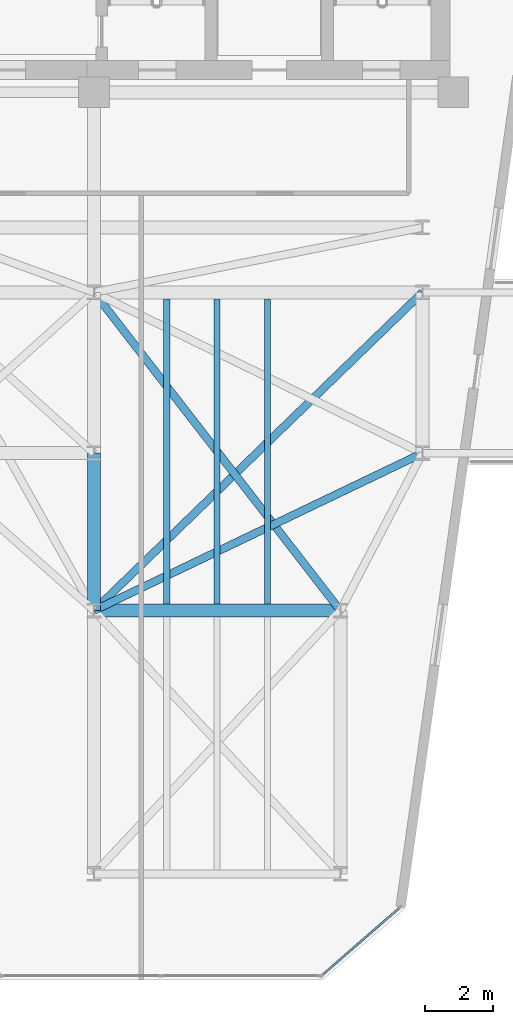
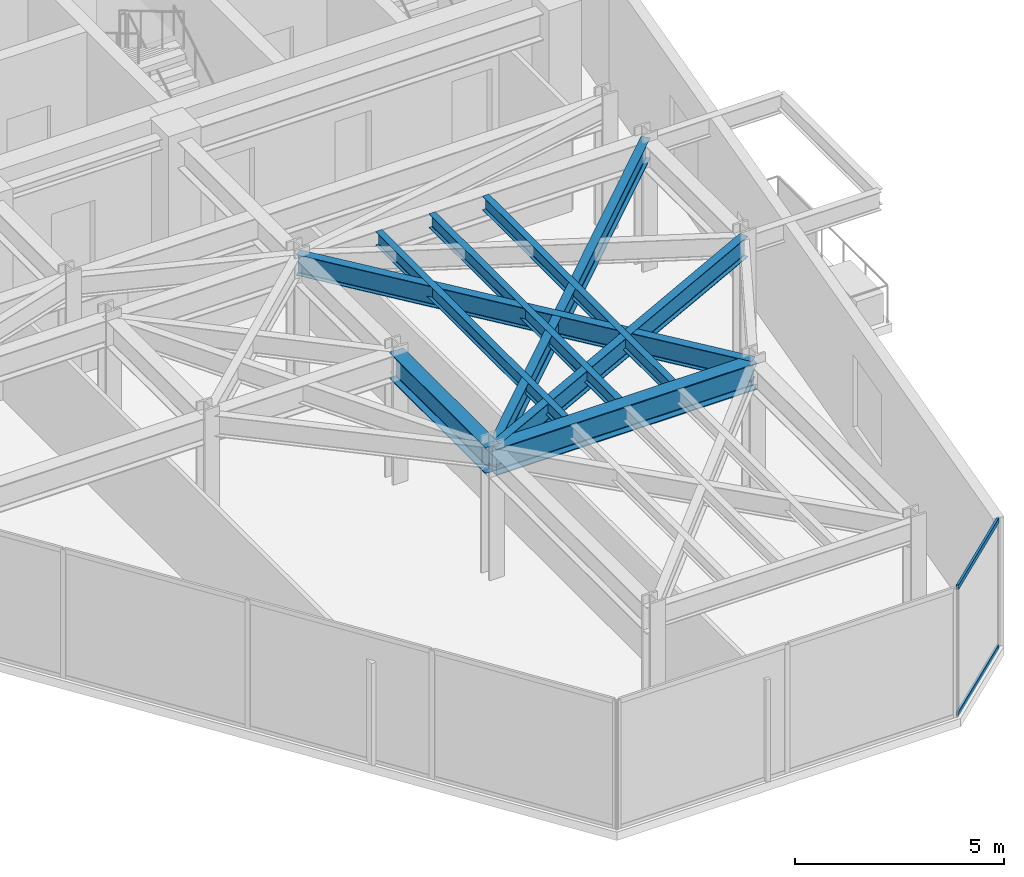
# One storey, part 13 of 21: 8 beams, 2 members, 1 element without a shape of its own.
"""IFC4 building model written with IfcOpenShell, lengths in metres."""

import ifcopenshell
import ifcopenshell.guid

model = None  # the IFC model being written
_history = None  # IfcOwnerHistory: only IFC2X3 demands one
_inside = {}  # id of a spatial element -> (the spatial element, [elements in it])
_under = {}  # id of a project, library or spatial element -> (it, [spatial elements below it])
_declared = {}  # id of a project -> (the project, [libraries it declares])
_typed = {}  # id of a type object -> (the type object, [elements of that type])
_made_of = {}  # id of a material, layer set ... -> (it, [elements and type objects made of it])


def new_model(schema):
    """Start an empty IFC model of exactly this schema.

    Asked for "IFC4X3", IfcOpenShell would pick the latest addendum, in which some entities
    have other attributes; the version numbers below select the first issue.
    IFC2X3 requires an IfcOwnerHistory on every rooted entity: one is made here for all.
    """
    global model, _history
    if schema == "IFC4X3":
        model = ifcopenshell.file(schema_version=(4, 3, 0, 0))
    else:
        model = ifcopenshell.file(schema=schema)
    _inside.clear()
    _under.clear()
    _declared.clear()
    _typed.clear()
    _made_of.clear()
    _history = None
    if model.schema == "IFC2X3":
        org = make("IfcOrganization", Name="unknown")
        user = make(
            "IfcPersonAndOrganization",
            ThePerson=make("IfcPerson", FamilyName="unknown"),
            TheOrganization=org,
        )
        app = make(
            "IfcApplication",
            ApplicationDeveloper=org,
            Version="unknown",
            ApplicationFullName="unknown",
            ApplicationIdentifier="unknown",
        )
        _history = make(
            "IfcOwnerHistory",
            OwningUser=user,
            OwningApplication=app,
            ChangeAction="ADDED",
            CreationDate=0,
        )
    return model


def make(cls, **values):
    """One entity of the class cls with the attributes given. An attribute that is None is left unset."""
    return model.create_entity(
        cls, **{name: value for name, value in values.items() if value is not None}
    )


def rooted(cls, **values):
    """An entity with a GlobalId (a new one), such as an element, a storey or a relation."""
    return make(cls, GlobalId=ifcopenshell.guid.new(), OwnerHistory=_history, **values)


def si_unit(unit_type, name, prefix=None):
    """IfcSIUnit, for example si_unit("LENGTHUNIT", "METRE", prefix="MILLI")."""
    return make("IfcSIUnit", UnitType=unit_type, Prefix=prefix, Name=name)


def assignment(units):
    """IfcUnitAssignment: the units of a project."""
    return None if units is None else make("IfcUnitAssignment", Units=units)


def point(xyz):
    """IfcCartesianPoint."""
    return None if xyz is None else make("IfcCartesianPoint", Coordinates=xyz)


def direction(xyz):
    """IfcDirection."""
    return None if xyz is None else make("IfcDirection", DirectionRatios=xyz)


def frame(location, z_axis=None, x_axis=None):
    """IfcAxis2Placement3D, a coordinate frame: its origin and axes. An axis left out is left unset."""
    return make(
        "IfcAxis2Placement3D",
        Location=point(location),
        Axis=direction(z_axis),
        RefDirection=direction(x_axis),
    )


def frame_2d(location, x_axis=None):
    """IfcAxis2Placement2D, a coordinate frame in the plane: its origin and x axis."""
    return make(
        "IfcAxis2Placement2D", Location=point(location), RefDirection=direction(x_axis)
    )


def origin():
    """The frame at (0, 0, 0) with its axes left unset."""
    return frame((0.0, 0.0, 0.0))


def origin_2d():
    """The frame at (0, 0) in the plane with its x axis left unset."""
    return frame_2d((0.0, 0.0))


def place(relative_to, where):
    """IfcLocalPlacement: puts the frame where relative to a parent placement (None: the world)."""
    return make(
        "IfcLocalPlacement", PlacementRelTo=relative_to, RelativePlacement=where
    )


def context(
    kind, dimensions, precision=None, world=None, true_north=None, identifier=None
):
    """IfcGeometricRepresentationContext, for example the 3D "Model" context."""
    return make(
        "IfcGeometricRepresentationContext",
        ContextIdentifier=identifier,
        ContextType=kind,
        CoordinateSpaceDimension=dimensions,
        Precision=precision,
        WorldCoordinateSystem=world,
        TrueNorth=true_north,
    )


def subcontext(parent, identifier, kind, view, scale=None):
    """IfcGeometricRepresentationSubContext, for example "Body" below "Model"."""
    return make(
        "IfcGeometricRepresentationSubContext",
        ContextIdentifier=identifier,
        ContextType=kind,
        ParentContext=parent,
        TargetScale=scale,
        TargetView=view,
    )


def project(units=None, contexts=None):
    """IfcProject with its units and contexts."""
    return rooted(
        "IfcProject",
        Name="project",
        RepresentationContexts=contexts,
        UnitsInContext=assignment(units),
    )


def spatial(cls, under=None, at=None, **own):
    """A site, building, storey or space (cls), placed at a placement, below another one or the project."""
    s = rooted(cls, ObjectPlacement=at, **own)
    if under is not None:
        _under.setdefault(under.id(), (under, []))[1].append(s)
    return s


def profile(cls, at=None, kind="AREA", **sizes):
    """A parametric profile (cls). Its sizes go by their IFC names, for example OverallWidth=200.0."""
    return make(cls, ProfileType=kind, Position=at, **sizes)


def hollow_rectangle(**sizes):
    """IfcRectangleHollowProfileDef."""
    return profile("IfcRectangleHollowProfileDef", **sizes)


def i_section(**sizes):
    """IfcIShapeProfileDef."""
    return profile("IfcIShapeProfileDef", **sizes)


def extrude(swept, where, along, depth):
    """IfcExtrudedAreaSolid: the profile swept, set in the frame where, extruded along a direction by depth."""
    return make(
        "IfcExtrudedAreaSolid",
        SweptArea=swept,
        Position=where,
        ExtrudedDirection=direction(along),
        Depth=depth,
    )


def shape(context_of_items, identifier, shape_type, items):
    """IfcShapeRepresentation: the items that make up one representation, for example the "Body"."""
    return make(
        "IfcShapeRepresentation",
        ContextOfItems=context_of_items,
        RepresentationIdentifier=identifier,
        RepresentationType=shape_type,
        Items=items,
    )


def material(Name=None, Category=None):
    """IfcMaterial."""
    return make("IfcMaterial", Name=Name, Category=Category)


def layer(
    of_material, thickness, ventilated=None, Name=None, Category=None, Priority=None
):
    """IfcMaterialLayer: one layer of a wall or slab, of a material (None: an air gap)."""
    return make(
        "IfcMaterialLayer",
        Material=of_material,
        LayerThickness=thickness,
        IsVentilated=ventilated,
        Name=Name,
        Category=Category,
        Priority=Priority,
    )


def layer_set(layers, Name=None):
    """IfcMaterialLayerSet."""
    return make("IfcMaterialLayerSet", MaterialLayers=layers, LayerSetName=Name)


def material_profile(
    of_material, cross_section, Name=None, Category=None, Priority=None
):
    """IfcMaterialProfile: a cross section and its material."""
    return make(
        "IfcMaterialProfile",
        Name=Name,
        Material=of_material,
        Profile=cross_section,
        Priority=Priority,
        Category=Category,
    )


def profile_set(profiles, Name=None, composite=None):
    """IfcMaterialProfileSet."""
    return make(
        "IfcMaterialProfileSet",
        Name=Name,
        MaterialProfiles=profiles,
        CompositeProfile=composite,
    )


def made_of(thing, what):
    """Note that an element or type object is made of a material, layer set ...; save() writes the relation."""
    if what is not None:
        _made_of.setdefault(what.id(), (what, []))[1].append(thing)
    return thing


def type_object(cls, material=None, **own):
    """A type object (cls), such as IfcWallType, which elements share."""
    return made_of(rooted(cls, **own), material)


def element(
    cls,
    number,
    at=None,
    inside=None,
    cuts=None,
    type_object=None,
    material=None,
    context=None,
    identifier="Body",
    shape_type=None,
    held_by="IfcProductDefinitionShape",
    body=None,
    shapes=None,
    **own,
):
    """One element of the class cls, such as IfcWall. Its Tag is "e" and its number.

    at: its placement. inside: the storey or other place that contains it. cuts: it is an
    opening in that element (IfcRelVoidsElement). A single representation is given by context,
    identifier, shape_type and body (its items); several are given by shapes. held_by: the class
    of the entity that holds the representations. save() writes the other relations.
    """
    e = rooted(cls, Tag="e%d" % number, ObjectPlacement=at, **own)
    if body is not None:
        shapes = [shape(context, identifier, shape_type, body)]
    if shapes is not None:
        e.Representation = make(held_by, Representations=shapes)
    if inside is not None:
        _inside.setdefault(inside.id(), (inside, []))[1].append(e)
    if cuts is not None:
        rooted(
            "IfcRelVoidsElement", RelatingBuildingElement=cuts, RelatedOpeningElement=e
        )
    if type_object is not None:
        _typed.setdefault(type_object.id(), (type_object, []))[1].append(e)
    return made_of(e, material)


def aggregate(whole, parts):
    """IfcRelAggregates: a whole, such as a stair, and the parts it consists of."""
    return rooted("IfcRelAggregates", RelatingObject=whole, RelatedObjects=parts)


def save(model, path):
    """Write the relations noted so far, then the file.

    IfcRelAggregates (storeys below a building ...), IfcRelContainedInSpatialStructure (elements
    in a storey), IfcRelDefinesByType, IfcRelAssociatesMaterial and IfcRelDeclares: one each for
    every whole, place, type object, material and project.
    """
    for whole, parts in _under.values():
        aggregate(whole, parts)
    for where, things in _inside.values():
        rooted(
            "IfcRelContainedInSpatialStructure",
            RelatedElements=things,
            RelatingStructure=where,
        )
    for kind, things in _typed.values():
        rooted("IfcRelDefinesByType", RelatedObjects=things, RelatingType=kind)
    for what, things in _made_of.values():
        rooted("IfcRelAssociatesMaterial", RelatedObjects=things, RelatingMaterial=what)
    for by, libraries in _declared.values():
        rooted("IfcRelDeclares", RelatingContext=by, RelatedDefinitions=libraries)
    model.write(path)


model = new_model("IFC4")

# Units and contexts
model_context = context("Model", 3, precision=1e-05, world=origin(), true_north=direction((0.0, 1.0)))
body_context = subcontext(model_context, "Body", "Model", "MODEL_VIEW")
ifc_project = project(units=[si_unit("LENGTHUNIT", "METRE"), si_unit("AREAUNIT", "SQUARE_METRE"), si_unit("VOLUMEUNIT", "CUBIC_METRE"), si_unit("PLANEANGLEUNIT", "RADIAN"), si_unit("MASSUNIT", "GRAM", prefix="KILO")], contexts=[model_context])

# Site, building, storey
site_placement = place(None, origin())
site = spatial("IfcSite", under=ifc_project, at=site_placement, CompositionType="ELEMENT")
building_placement = place(site_placement, origin())
building = spatial("IfcBuilding", under=site, at=building_placement, Name="Kravanh Interchange Tower", CompositionType="ELEMENT")
storey_placement = place(building_placement, frame((0.0, 0.0, 192.5)))
storey = spatial("IfcBuildingStorey", under=building, at=storey_placement, Name="L46", CompositionType="ELEMENT", Elevation=192.5)

# Curtain wall, members
ifc_material_1 = material(Name="Anodised Bronze Aluminium", Category="aluminium")
ifc_layer = layer(ifc_material_1, 0.179931640625)
ifc_layer_set = layer_set([ifc_layer], Name="Unitised Curtain Wall System CW-Z3 Upper Office")
curtain_wall_type = type_object("IfcCurtainWallType", Name="Unitised Curtain Wall System CW-Z3 Upper Office", PredefinedType="NOTDEFINED", material=ifc_layer_set)
curtain_wall_placement = place(storey_placement, origin())
curtain_wall = element("IfcCurtainWall", 1, at=curtain_wall_placement, inside=storey, type_object=curtain_wall_type, Name="L46 Unitised Curtain Wall CW-L46-01", PredefinedType="NOTDEFINED")
ifc_material_2 = material(Name="Anodised Bronze Aluminium", Category="aluminium")
ifc_material_profile_1 = material_profile(ifc_material_2, hollow_rectangle(XDim=0.06005859375, YDim=0.139892578125, WallThickness=0.00390625, at=origin_2d()), Name="ALU60X140X4")
ifc_profile_set_1 = profile_set([ifc_material_profile_1], Name="Anodised Bronze Aluminium")
member_type = type_object("IfcMemberType", Name="Curtain Wall Transom ALU60X140X4 Bronze", PredefinedType="USERDEFINED", material=ifc_profile_set_1)
member_1_placement = place(storey_placement, frame((64.92041015625, 13.501220703125, 0.030029296875), z_axis=(-0.754744002238, -0.656019428893, 0.0), x_axis=(0.656019428893, -0.754744002238, 0.0)))
member_1 = element("IfcMember", 2, at=member_1_placement, type_object=member_type, Name="CW-Z3 transom 1.1", ObjectType="TRANSOM", PredefinedType="USERDEFINED", context=body_context, shape_type="SweptSolid", body=[
    extrude(hollow_rectangle(XDim=0.06005859375, YDim=0.139892578125, WallThickness=0.00390625, at=origin_2d()), origin(), (0.0, 0.0, 1.0), 2.960205078125),
])
member_2_placement = place(storey_placement, frame((64.92041015625, 13.501220703125, 3.72509765625), z_axis=(-0.754744002238, -0.656019428893, 0.0), x_axis=(0.656019428893, -0.754744002238, 0.0)))
member_2 = element("IfcMember", 3, at=member_2_placement, type_object=member_type, Name="CW-Z3 transom 1.2", ObjectType="TRANSOM", PredefinedType="USERDEFINED", context=body_context, shape_type="SweptSolid", body=[
    extrude(hollow_rectangle(XDim=0.06005859375, YDim=0.139892578125, WallThickness=0.00390625, at=origin_2d()), origin(), (0.0, 0.0, 1.0), 2.960205078125),
])
aggregate(curtain_wall, [member_1, member_2])

# Beams
ifc_material_3 = material(Name="Structural Steel S355", Category="steel")
ifc_material_profile_2 = material_profile(ifc_material_3, i_section(OverallWidth=0.381103515625, OverallDepth=0.77294921875, WebThickness=0.0166015625, FlangeThickness=0.027099609375, FilletRadius=0.02490234375, at=origin_2d()), Name="W30X173")
ifc_profile_set_2 = profile_set([ifc_material_profile_2], Name="Structural Steel S355")
beam_type_1 = type_object("IfcBeamType", Name="Floor Beam W30X173 Structural Steel S355", PredefinedType="BEAM", material=ifc_profile_set_2)
beam_1_placement = place(storey_placement, frame((56.0, 26.800048828125, 3.368408203125), z_axis=(0.0, -1.0, 0.0), x_axis=(1.0, 0.0, 0.0)))
element("IfcBeam", 4, at=beam_1_placement, inside=storey, type_object=beam_type_1, Name="L46 Primary Floor Girder 53", PredefinedType="BEAM", context=body_context, shape_type="SweptSolid", body=[
    extrude(i_section(OverallWidth=0.381103515625, OverallDepth=0.77294921875, WebThickness=0.0166015625, FlangeThickness=0.027099609375, FilletRadius=0.02490234375, at=origin_2d()), origin(), (0.0, 0.0, 1.0), 4.60009765625),
])
beam_2_placement = place(storey_placement, frame((56.0, 22.199951171875, 3.368408203125), z_axis=(1.0, 0.0, 0.0), x_axis=(0.0, 1.0, 0.0)))
element("IfcBeam", 5, at=beam_2_placement, inside=storey, type_object=beam_type_1, Name="L46 Primary Floor Girder 92", PredefinedType="BEAM", context=body_context, shape_type="SweptSolid", body=[
    extrude(i_section(OverallWidth=0.381103515625, OverallDepth=0.77294921875, WebThickness=0.0166015625, FlangeThickness=0.027099609375, FilletRadius=0.02490234375, at=origin_2d()), origin(), (0.0, 0.0, 1.0), 7.199951171875),
])
ifc_material_4 = material(Name="Structural Steel S355", Category="steel")
ifc_material_profile_3 = material_profile(ifc_material_4, i_section(OverallWidth=0.177978515625, OverallDepth=0.406005859375, WebThickness=0.0078125, FlangeThickness=0.0126953125, FilletRadius=0.01611328125, at=origin_2d()), Name="W16X40")
ifc_profile_set_3 = profile_set([ifc_material_profile_3], Name="Structural Steel S355")
beam_type_2 = type_object("IfcBeamType", Name="Floor Joist W16X40 Structural Steel S355", PredefinedType="JOIST", material=ifc_profile_set_3)
for number, where, z_axis, x_axis, name in (
    (6, (58.125, 22.385498046875, 3.552001953125), (0.0, 1.0, 0.0), (-1.0, 0.0, 0.0), "L46 Secondary Floor Joist 10"),
    (7, (59.60009765625, 22.385498046875, 3.552001953125), (0.0, 1.0, 0.0), (-1.0, 0.0, 0.0), "L46 Secondary Floor Joist 11"),
    (8, (61.074951171875, 22.385498046875, 3.552001953125), (0.0, 1.0, 0.0), (-1.0, 0.0, 0.0), "L46 Secondary Floor Joist 12"),
):
    element("IfcBeam", number, at=place(storey_placement, frame(where, z_axis=z_axis, x_axis=x_axis)), inside=storey, type_object=beam_type_2, Name=name, PredefinedType="JOIST", context=body_context, shape_type="SweptSolid", body=[
        extrude(i_section(OverallWidth=0.177978515625, OverallDepth=0.406005859375, WebThickness=0.0078125, FlangeThickness=0.0126953125, FilletRadius=0.01611328125, at=origin_2d()), origin(), (0.0, 0.0, 1.0), 8.928955078125),
    ])
ifc_material_5 = material(Name="Structural Steel S355", Category="steel")
ifc_material_profile_4 = material_profile(ifc_material_5, i_section(OverallWidth=0.22802734375, OverallDepth=0.60791015625, WebThickness=0.01123046875, FlangeThickness=0.017333984375, FilletRadius=0.02197265625, at=origin_2d()), Name="W24X76")
ifc_profile_set_4 = profile_set([ifc_material_profile_4], Name="Structural Steel S355")
beam_type_3 = type_object("IfcBeamType", Name="Floor Spandrel W24X76 Structural Steel S355", PredefinedType="SPANDREL", material=ifc_profile_set_4)
beam_3_placement = place(storey_placement, frame((65.60009765625, 26.800048828125, 3.450927734375), z_axis=(-0.901814166789, -0.432124066188, 0.0), x_axis=(0.432124066188, -0.901814166789, 0.0)))
element("IfcBeam", 9, at=beam_3_placement, inside=storey, type_object=beam_type_3, Name="L46 Perimeter Spandrel 59", PredefinedType="SPANDREL", context=body_context, shape_type="SweptSolid", body=[
    extrude(i_section(OverallWidth=0.22802734375, OverallDepth=0.60791015625, WebThickness=0.01123046875, FlangeThickness=0.017333984375, FilletRadius=0.02197265625, at=origin_2d()), origin(), (0.0, 0.0, 1.0), 10.645263671875),
])
beam_4_placement = place(storey_placement, frame((56.0, 31.5, 3.450927734375), z_axis=(0.612168587637, -0.790727273028, 0.0), x_axis=(0.790727273028, 0.612168587637, 0.0)))
element("IfcBeam", 10, at=beam_4_placement, inside=storey, type_object=beam_type_3, Name="L46 Perimeter Spandrel 83", PredefinedType="SPANDREL", context=body_context, shape_type="SweptSolid", body=[
    extrude(i_section(OverallWidth=0.22802734375, OverallDepth=0.60791015625, WebThickness=0.01123046875, FlangeThickness=0.017333984375, FilletRadius=0.02197265625, at=origin_2d()), origin(), (0.0, 0.0, 1.0), 11.761474609375),
])
beam_5_placement = place(storey_placement, frame((65.60009765625, 31.5, 3.450927734375), z_axis=(-0.718241934329, -0.695793449072, 0.0), x_axis=(0.695793449072, -0.718241934329, 0.0)))
element("IfcBeam", 11, at=beam_5_placement, inside=storey, type_object=beam_type_3, Name="L46 Perimeter Spandrel 85", PredefinedType="SPANDREL", context=body_context, shape_type="SweptSolid", body=[
    extrude(i_section(OverallWidth=0.22802734375, OverallDepth=0.60791015625, WebThickness=0.01123046875, FlangeThickness=0.017333984375, FilletRadius=0.02197265625, at=origin_2d()), origin(), (0.0, 0.0, 1.0), 13.3662109375),
])

save(model, "model.ifc")
